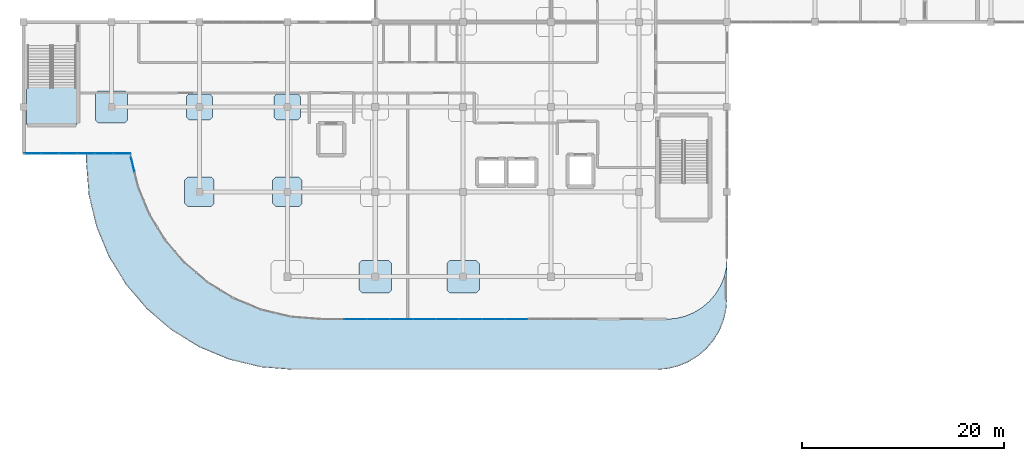
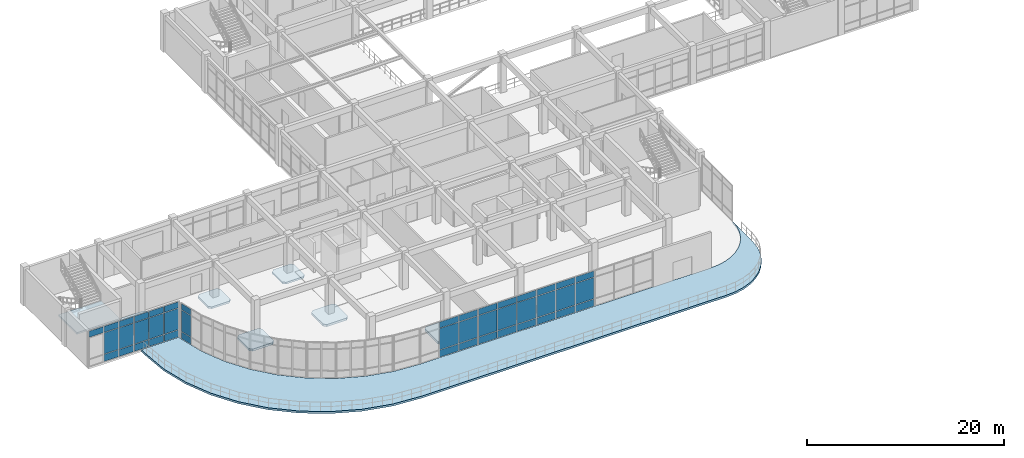
# One storey, part 52 of 76: 43 plates, 9 slabs, 7 elements without a shape of their own.
"""IFC4 building model written with IfcOpenShell, lengths in metres."""

from ifc_helpers import new_model, si_unit, derived_unit, direction, frame, origin, origin_2d, place, context, subcontext, project, spatial, polyline, rectangle, outline, extrude, material, layer, layer_set, type_object, element, aggregate, save


model = new_model("IFC4")

# Units and contexts
model_context = context("Model", 3, precision=1e-05, world=origin(), true_north=direction((0.0, 1.0)))
body_context = subcontext(model_context, "Body", "Model", "MODEL_VIEW")
ifc_project = project(units=[si_unit("LENGTHUNIT", "METRE"), si_unit("AREAUNIT", "SQUARE_METRE"), si_unit("VOLUMEUNIT", "CUBIC_METRE"), si_unit("PLANEANGLEUNIT", "RADIAN"), si_unit("MASSUNIT", "GRAM", prefix="KILO"), derived_unit("THERMALTRANSMITTANCEUNIT", [(si_unit("MASSUNIT", "GRAM", prefix="KILO"), 1), (si_unit("TIMEUNIT", "SECOND"), -3), (si_unit("THERMODYNAMICTEMPERATUREUNIT", "KELVIN"), -1)])], contexts=[model_context])

# Site, building, storey
site_placement = place(None, origin())
site = spatial("IfcSite", under=ifc_project, at=site_placement, CompositionType="ELEMENT")
building_placement = place(site_placement, origin())
building = spatial("IfcBuilding", under=site, at=building_placement, Name="Qinzheling Arcade Emporium", CompositionType="ELEMENT")
storey_placement = place(building_placement, frame((0.0, 0.0, 26.699951171875)))
storey = spatial("IfcBuildingStorey", under=building, at=storey_placement, Name="L06", CompositionType="ELEMENT", Elevation=26.699951171875)

# Slabs
ifc_material_1 = material(Name="Concrete C40", Category="concrete")
ifc_layer_1 = layer(ifc_material_1, 0.235107421875, Name="Concrete C40", Category="concrete")
ifc_layer_set_1 = layer_set([ifc_layer_1], Name="Concrete C40")
slab_type_1 = type_object("IfcSlabType", Name="Column Head Drop Panel 2600x2600x235 C40", PredefinedType="USERDEFINED", material=ifc_layer_set_1)
slab_1_placement = place(storey_placement, frame((0.0, 0.0, -0.514892578125)))
element("IfcSlab", 1, at=slab_1_placement, inside=storey, type_object=slab_type_1, Name="Column Drop Panel DP-L06-3-E", ObjectType="DROP_PANEL", PredefinedType="USERDEFINED", context=body_context, shape_type="SweptSolid", body=[
    extrude(outline(polyline([(16.3798828125, 32.300048828125), (18.419921875, 32.300048828125), (18.699951171875, 32.580078125), (18.699951171875, 34.6201171875), (18.419921875, 34.89990234375), (16.3798828125, 34.89990234375), (16.10009765625, 34.6201171875), (16.10009765625, 32.580078125), (16.3798828125, 32.300048828125)])), origin(), (0.0, 0.0, 1.0), 0.23486328125),
])
slab_2_placement = place(storey_placement, frame((0.0, 0.0, -0.514892578125)))
element("IfcSlab", 2, at=slab_2_placement, inside=storey, type_object=slab_type_1, Name="Column Drop Panel DP-L06-4-E", ObjectType="DROP_PANEL", PredefinedType="USERDEFINED", context=body_context, shape_type="SweptSolid", body=[
    extrude(outline(polyline([(25.080078125, 32.300048828125), (27.1201171875, 32.300048828125), (27.39990234375, 32.580078125), (27.39990234375, 34.6201171875), (27.1201171875, 34.89990234375), (25.080078125, 34.89990234375), (24.800048828125, 34.6201171875), (24.800048828125, 32.580078125), (25.080078125, 32.300048828125)])), origin(), (0.0, 0.0, 1.0), 0.23486328125),
])
ifc_layer_2 = layer(ifc_material_1, 0.27001953125, Name="Concrete C40", Category="concrete")
ifc_layer_set_2 = layer_set([ifc_layer_2], Name="Concrete C40")
slab_type_2 = type_object("IfcSlabType", Name="Column Head Drop Panel 2900x2900x270 C40", PredefinedType="USERDEFINED", material=ifc_layer_set_2)
slab_3_placement = place(storey_placement, frame((0.0, 0.0, -0.550048828125)))
element("IfcSlab", 3, at=slab_3_placement, inside=storey, type_object=slab_type_2, Name="Column Drop Panel DP-L06-3-D", ObjectType="DROP_PANEL", PredefinedType="USERDEFINED", context=body_context, shape_type="SweptSolid", body=[
    extrude(outline(polyline([(16.22998046875, 23.75), (18.570068359375, 23.75), (18.85009765625, 24.030029296875), (18.85009765625, 26.3701171875), (18.570068359375, 26.64990234375), (16.22998046875, 26.64990234375), (15.949951171875, 26.3701171875), (15.949951171875, 24.030029296875), (16.22998046875, 23.75)])), origin(), (0.0, 0.0, 1.0), 0.27001953125),
])
slab_4_placement = place(storey_placement, frame((0.0, 0.0, -0.550048828125)))
element("IfcSlab", 4, at=slab_4_placement, inside=storey, type_object=slab_type_2, Name="Column Drop Panel DP-L06-4-D", ObjectType="DROP_PANEL", PredefinedType="USERDEFINED", context=body_context, shape_type="SweptSolid", body=[
    extrude(outline(polyline([(24.929931640625, 23.75), (27.27001953125, 23.75), (27.550048828125, 24.030029296875), (27.550048828125, 26.3701171875), (27.27001953125, 26.64990234375), (24.929931640625, 26.64990234375), (24.64990234375, 26.3701171875), (24.64990234375, 24.030029296875), (24.929931640625, 23.75)])), origin(), (0.0, 0.0, 1.0), 0.27001953125),
])
ifc_layer_3 = layer(ifc_material_1, 0.300048828125, Name="Concrete C40", Category="concrete")
ifc_layer_set_3 = layer_set([ifc_layer_3], Name="Concrete C40")
slab_type_3 = type_object("IfcSlabType", Name="Column Head Drop Panel 3200x3200x300 C40", PredefinedType="USERDEFINED", material=ifc_layer_set_3)
slab_5_placement = place(storey_placement, frame((0.0, 0.0, -0.579833984375)))
element("IfcSlab", 5, at=slab_5_placement, inside=storey, type_object=slab_type_3, Name="Column Drop Panel DP-L06-2-E", ObjectType="DROP_PANEL", PredefinedType="USERDEFINED", context=body_context, shape_type="SweptSolid", body=[
    extrude(outline(polyline([(7.3798828125, 32.0), (10.02001953125, 32.0), (10.300048828125, 32.280029296875), (10.300048828125, 34.919921875), (10.02001953125, 35.199951171875), (7.3798828125, 35.199951171875), (7.10009765625, 34.919921875), (7.10009765625, 32.280029296875), (7.3798828125, 32.0)])), origin(), (0.0, 0.0, 1.0), 0.2998046875),
])
slab_6_placement = place(storey_placement, frame((0.0, 0.0, -0.579833984375)))
element("IfcSlab", 6, at=slab_6_placement, inside=storey, type_object=slab_type_3, Name="Column Drop Panel DP-L06-5-C", ObjectType="DROP_PANEL", PredefinedType="USERDEFINED", context=body_context, shape_type="SweptSolid", body=[
    extrude(outline(polyline([(33.47998046875, 15.199951171875), (36.1201171875, 15.199951171875), (36.39990234375, 15.47998046875), (36.39990234375, 18.1201171875), (36.1201171875, 18.39990234375), (33.47998046875, 18.39990234375), (33.199951171875, 18.1201171875), (33.199951171875, 15.47998046875), (33.47998046875, 15.199951171875)])), origin(), (0.0, 0.0, 1.0), 0.2998046875),
])
slab_7_placement = place(storey_placement, frame((0.0, 0.0, -0.579833984375)))
element("IfcSlab", 7, at=slab_7_placement, inside=storey, type_object=slab_type_3, Name="Column Drop Panel DP-L06-6-C", ObjectType="DROP_PANEL", PredefinedType="USERDEFINED", context=body_context, shape_type="SweptSolid", body=[
    extrude(outline(polyline([(42.179931640625, 15.199951171875), (44.820068359375, 15.199951171875), (45.10009765625, 15.47998046875), (45.10009765625, 18.1201171875), (44.820068359375, 18.39990234375), (42.179931640625, 18.39990234375), (41.89990234375, 18.1201171875), (41.89990234375, 15.47998046875), (42.179931640625, 15.199951171875)])), origin(), (0.0, 0.0, 1.0), 0.2998046875),
])

# Curtain wall, plates
ifc_material_2 = material(Name="Anodised aluminium and solar-control double glazing", Category="aluminium")
ifc_layer_4 = layer(ifc_material_2, 0.159912109375, Name="Anodised aluminium and solar-control double glazing", Category="aluminium")
ifc_layer_set_4 = layer_set([ifc_layer_4], Name="Anodised aluminium and solar-control double glazing")
curtain_wall_type_1 = type_object("IfcCurtainWallType", Name="Arcade Portal Glazed Curtain Wall", PredefinedType="NOTDEFINED", material=ifc_layer_set_4)
curtain_wall_1_placement = place(storey_placement, origin())
curtain_wall_1 = element("IfcCurtainWall", 8, at=curtain_wall_1_placement, inside=storey, type_object=curtain_wall_type_1, Name="Curtain Wall CW-L06-347", PredefinedType="NOTDEFINED")
ifc_material_3 = material(Name="Laminated solar-control double glazing", Category="glass")
ifc_layer_5 = layer(ifc_material_3, 0.02099609375, Name="Laminated solar-control double glazing", Category="glass")
ifc_layer_set_5 = layer_set([ifc_layer_5], Name="Laminated solar-control double glazing")
plate_type_1 = type_object("IfcPlateType", Name="Low-E Double Glazed Curtain Panel 21mm", PredefinedType="CURTAIN_PANEL", material=ifc_layer_set_5)
plate_1_placement = place(storey_placement, frame((48.763671875, 12.60009765625, 0.06005859375), z_axis=(0.0, 0.0, 1.0), x_axis=(-1.0, 0.0, 0.0)))
plate_1 = element("IfcPlate", 9, at=plate_1_placement, type_object=plate_type_1, Name="CW05 panel 1.1", PredefinedType="CURTAIN_PANEL", context=body_context, shape_type="SweptSolid", body=[
    extrude(rectangle(XDim=2.188720703125, YDim=0.02099609375, at=origin_2d()), origin(), (0.0, 0.0, 1.0), 0.860107421875),
])
plate_2_placement = place(storey_placement, frame((48.763671875, 12.60009765625, 0.980224609375), z_axis=(0.0, 0.0, 1.0), x_axis=(-1.0, 0.0, 0.0)))
plate_2 = element("IfcPlate", 10, at=plate_2_placement, type_object=plate_type_1, Name="CW05 panel 1.2", PredefinedType="CURTAIN_PANEL", context=body_context, shape_type="SweptSolid", body=[
    extrude(rectangle(XDim=2.188720703125, YDim=0.02099609375, at=origin_2d()), origin(), (0.0, 0.0, 1.0), 2.6298828125),
])
plate_3_placement = place(storey_placement, frame((48.763671875, 12.60009765625, 3.669921875), z_axis=(0.0, 0.0, 1.0), x_axis=(-1.0, 0.0, 0.0)))
plate_3 = element("IfcPlate", 11, at=plate_3_placement, type_object=plate_type_1, Name="CW05 panel 1.3", PredefinedType="CURTAIN_PANEL", context=body_context, shape_type="SweptSolid", body=[
    extrude(rectangle(XDim=2.188720703125, YDim=0.02099609375, at=origin_2d()), origin(), (0.0, 0.0, 1.0), 0.760009765625),
])
plate_4_placement = place(storey_placement, frame((46.5, 12.60009765625, 0.06005859375), z_axis=(0.0, 0.0, 1.0), x_axis=(-1.0, 0.0, 0.0)))
plate_4 = element("IfcPlate", 12, at=plate_4_placement, type_object=plate_type_1, Name="CW05 panel 2.1", PredefinedType="CURTAIN_PANEL", context=body_context, shape_type="SweptSolid", body=[
    extrude(rectangle(XDim=2.21875, YDim=0.02099609375, at=origin_2d()), origin(), (0.0, 0.0, 1.0), 0.860107421875),
])
plate_5_placement = place(storey_placement, frame((46.5, 12.60009765625, 0.980224609375), z_axis=(0.0, 0.0, 1.0), x_axis=(-1.0, 0.0, 0.0)))
plate_5 = element("IfcPlate", 13, at=plate_5_placement, type_object=plate_type_1, Name="CW05 panel 2.2", PredefinedType="CURTAIN_PANEL", context=body_context, shape_type="SweptSolid", body=[
    extrude(rectangle(XDim=2.21875, YDim=0.02099609375, at=origin_2d()), origin(), (0.0, 0.0, 1.0), 2.6298828125),
])
plate_6_placement = place(storey_placement, frame((46.5, 12.60009765625, 3.669921875), z_axis=(0.0, 0.0, 1.0), x_axis=(-1.0, 0.0, 0.0)))
plate_6 = element("IfcPlate", 14, at=plate_6_placement, type_object=plate_type_1, Name="CW05 panel 2.3", PredefinedType="CURTAIN_PANEL", context=body_context, shape_type="SweptSolid", body=[
    extrude(rectangle(XDim=2.21875, YDim=0.02099609375, at=origin_2d()), origin(), (0.0, 0.0, 1.0), 0.760009765625),
])
plate_7_placement = place(storey_placement, frame((44.236328125, 12.60009765625, 0.06005859375), z_axis=(0.0, 0.0, 1.0), x_axis=(-1.0, 0.0, 0.0)))
plate_7 = element("IfcPlate", 15, at=plate_7_placement, type_object=plate_type_1, Name="CW05 panel 3.1", PredefinedType="CURTAIN_PANEL", context=body_context, shape_type="SweptSolid", body=[
    extrude(rectangle(XDim=2.188720703125, YDim=0.02099609375, at=origin_2d()), origin(), (0.0, 0.0, 1.0), 0.860107421875),
])
plate_8_placement = place(storey_placement, frame((44.236328125, 12.60009765625, 0.980224609375), z_axis=(0.0, 0.0, 1.0), x_axis=(-1.0, 0.0, 0.0)))
plate_8 = element("IfcPlate", 16, at=plate_8_placement, type_object=plate_type_1, Name="CW05 panel 3.2", PredefinedType="CURTAIN_PANEL", context=body_context, shape_type="SweptSolid", body=[
    extrude(rectangle(XDim=2.188720703125, YDim=0.02099609375, at=origin_2d()), origin(), (0.0, 0.0, 1.0), 2.6298828125),
])
plate_9_placement = place(storey_placement, frame((44.236328125, 12.60009765625, 3.669921875), z_axis=(0.0, 0.0, 1.0), x_axis=(-1.0, 0.0, 0.0)))
plate_9 = element("IfcPlate", 17, at=plate_9_placement, type_object=plate_type_1, Name="CW05 panel 3.3", PredefinedType="CURTAIN_PANEL", context=body_context, shape_type="SweptSolid", body=[
    extrude(rectangle(XDim=2.188720703125, YDim=0.02099609375, at=origin_2d()), origin(), (0.0, 0.0, 1.0), 0.760009765625),
])
aggregate(curtain_wall_1, [plate_1, plate_2, plate_3, plate_4, plate_5, plate_6, plate_7, plate_8, plate_9])

curtain_wall_2_placement = place(storey_placement, origin())
curtain_wall_2 = element("IfcCurtainWall", 18, at=curtain_wall_2_placement, inside=storey, type_object=curtain_wall_type_1, Name="Curtain Wall CW-L06-348", PredefinedType="NOTDEFINED")
ifc_layer_6 = layer(ifc_material_3, 0.02197265625, Name="Laminated solar-control double glazing", Category="glass")
ifc_layer_set_6 = layer_set([ifc_layer_6], Name="Laminated solar-control double glazing")
plate_type_2 = type_object("IfcPlateType", Name="Low-E Double Glazed Curtain Panel 22mm", PredefinedType="CURTAIN_PANEL", material=ifc_layer_set_6)
plate_10_placement = place(storey_placement, frame((41.923583984375, 12.60009765625, 0.06005859375), z_axis=(0.0, 0.0, 1.0), x_axis=(-1.0, 0.0, 0.0)))
plate_10 = element("IfcPlate", 19, at=plate_10_placement, type_object=plate_type_2, Name="CW05 panel 1.1", PredefinedType="CURTAIN_PANEL", context=body_context, shape_type="SweptSolid", body=[
    extrude(rectangle(XDim=2.188720703125, YDim=0.02197265625, at=origin_2d()), origin(), (0.0, 0.0, 1.0), 0.860107421875),
])
plate_11_placement = place(storey_placement, frame((41.923583984375, 12.60009765625, 0.980224609375), z_axis=(0.0, 0.0, 1.0), x_axis=(-1.0, 0.0, 0.0)))
plate_11 = element("IfcPlate", 20, at=plate_11_placement, type_object=plate_type_2, Name="CW05 panel 1.2", PredefinedType="CURTAIN_PANEL", context=body_context, shape_type="SweptSolid", body=[
    extrude(rectangle(XDim=2.188720703125, YDim=0.02197265625, at=origin_2d()), origin(), (0.0, 0.0, 1.0), 2.6298828125),
])
plate_12_placement = place(storey_placement, frame((41.923583984375, 12.60009765625, 3.669921875), z_axis=(0.0, 0.0, 1.0), x_axis=(-1.0, 0.0, 0.0)))
plate_12 = element("IfcPlate", 21, at=plate_12_placement, type_object=plate_type_2, Name="CW05 panel 1.3", PredefinedType="CURTAIN_PANEL", context=body_context, shape_type="SweptSolid", body=[
    extrude(rectangle(XDim=2.188720703125, YDim=0.02197265625, at=origin_2d()), origin(), (0.0, 0.0, 1.0), 0.760009765625),
])
plate_13_placement = place(storey_placement, frame((39.659912109375, 12.60009765625, 0.06005859375), z_axis=(0.0, 0.0, 1.0), x_axis=(-1.0, 0.0, 0.0)))
plate_13 = element("IfcPlate", 22, at=plate_13_placement, type_object=plate_type_2, Name="CW05 panel 2.1", PredefinedType="CURTAIN_PANEL", context=body_context, shape_type="SweptSolid", body=[
    extrude(rectangle(XDim=2.21875, YDim=0.02197265625, at=origin_2d()), origin(), (0.0, 0.0, 1.0), 0.860107421875),
])
plate_14_placement = place(storey_placement, frame((39.659912109375, 12.60009765625, 0.980224609375), z_axis=(0.0, 0.0, 1.0), x_axis=(-1.0, 0.0, 0.0)))
plate_14 = element("IfcPlate", 23, at=plate_14_placement, type_object=plate_type_2, Name="CW05 panel 2.2", PredefinedType="CURTAIN_PANEL", context=body_context, shape_type="SweptSolid", body=[
    extrude(rectangle(XDim=2.21875, YDim=0.02197265625, at=origin_2d()), origin(), (0.0, 0.0, 1.0), 2.6298828125),
])
plate_15_placement = place(storey_placement, frame((39.659912109375, 12.60009765625, 3.669921875), z_axis=(0.0, 0.0, 1.0), x_axis=(-1.0, 0.0, 0.0)))
plate_15 = element("IfcPlate", 24, at=plate_15_placement, type_object=plate_type_2, Name="CW05 panel 2.3", PredefinedType="CURTAIN_PANEL", context=body_context, shape_type="SweptSolid", body=[
    extrude(rectangle(XDim=2.21875, YDim=0.02197265625, at=origin_2d()), origin(), (0.0, 0.0, 1.0), 0.760009765625),
])
plate_16_placement = place(storey_placement, frame((37.396240234375, 12.60009765625, 0.06005859375), z_axis=(0.0, 0.0, 1.0), x_axis=(-1.0, 0.0, 0.0)))
plate_16 = element("IfcPlate", 25, at=plate_16_placement, type_object=plate_type_2, Name="CW05 panel 3.1", PredefinedType="CURTAIN_PANEL", context=body_context, shape_type="SweptSolid", body=[
    extrude(rectangle(XDim=2.188720703125, YDim=0.02197265625, at=origin_2d()), origin(), (0.0, 0.0, 1.0), 0.860107421875),
])
plate_17_placement = place(storey_placement, frame((37.396240234375, 12.60009765625, 0.980224609375), z_axis=(0.0, 0.0, 1.0), x_axis=(-1.0, 0.0, 0.0)))
plate_17 = element("IfcPlate", 26, at=plate_17_placement, type_object=plate_type_2, Name="CW05 panel 3.2", PredefinedType="CURTAIN_PANEL", context=body_context, shape_type="SweptSolid", body=[
    extrude(rectangle(XDim=2.188720703125, YDim=0.02197265625, at=origin_2d()), origin(), (0.0, 0.0, 1.0), 2.6298828125),
])
plate_18_placement = place(storey_placement, frame((37.396240234375, 12.60009765625, 3.669921875), z_axis=(0.0, 0.0, 1.0), x_axis=(-1.0, 0.0, 0.0)))
plate_18 = element("IfcPlate", 27, at=plate_18_placement, type_object=plate_type_2, Name="CW05 panel 3.3", PredefinedType="CURTAIN_PANEL", context=body_context, shape_type="SweptSolid", body=[
    extrude(rectangle(XDim=2.188720703125, YDim=0.02197265625, at=origin_2d()), origin(), (0.0, 0.0, 1.0), 0.760009765625),
])
aggregate(curtain_wall_2, [plate_10, plate_11, plate_12, plate_13, plate_14, plate_15, plate_16, plate_17, plate_18])

curtain_wall_3_placement = place(storey_placement, origin())
curtain_wall_3 = element("IfcCurtainWall", 28, at=curtain_wall_3_placement, inside=storey, type_object=curtain_wall_type_1, Name="Curtain Wall CW-L06-349", PredefinedType="NOTDEFINED")
ifc_layer_7 = layer(ifc_material_3, 0.02392578125, Name="Laminated solar-control double glazing", Category="glass")
ifc_layer_set_7 = layer_set([ifc_layer_7], Name="Laminated solar-control double glazing")
plate_type_3 = type_object("IfcPlateType", Name="Low-E Double Glazed Curtain Panel 24mm", PredefinedType="CURTAIN_PANEL", material=ifc_layer_set_7)
plate_19_placement = place(storey_placement, frame((35.083251953125, 12.60009765625, 0.06005859375), z_axis=(0.0, 0.0, 1.0), x_axis=(-1.0, 0.0, 0.0)))
plate_19 = element("IfcPlate", 29, at=plate_19_placement, type_object=plate_type_3, Name="CW05 panel 1.1", PredefinedType="CURTAIN_PANEL", context=body_context, shape_type="SweptSolid", body=[
    extrude(rectangle(XDim=2.189453125, YDim=0.02392578125, at=origin_2d()), origin(), (0.0, 0.0, 1.0), 0.860107421875),
])
plate_20_placement = place(storey_placement, frame((35.083251953125, 12.60009765625, 0.980224609375), z_axis=(0.0, 0.0, 1.0), x_axis=(-1.0, 0.0, 0.0)))
plate_20 = element("IfcPlate", 30, at=plate_20_placement, type_object=plate_type_3, Name="CW05 panel 1.2", PredefinedType="CURTAIN_PANEL", context=body_context, shape_type="SweptSolid", body=[
    extrude(rectangle(XDim=2.189453125, YDim=0.02392578125, at=origin_2d()), origin(), (0.0, 0.0, 1.0), 2.6298828125),
])
plate_21_placement = place(storey_placement, frame((35.083251953125, 12.60009765625, 3.669921875), z_axis=(0.0, 0.0, 1.0), x_axis=(-1.0, 0.0, 0.0)))
plate_21 = element("IfcPlate", 31, at=plate_21_placement, type_object=plate_type_3, Name="CW05 panel 1.3", PredefinedType="CURTAIN_PANEL", context=body_context, shape_type="SweptSolid", body=[
    extrude(rectangle(XDim=2.189453125, YDim=0.02392578125, at=origin_2d()), origin(), (0.0, 0.0, 1.0), 0.760009765625),
])
plate_22_placement = place(storey_placement, frame((32.819091796875, 12.60009765625, 0.06005859375), z_axis=(0.0, 0.0, 1.0), x_axis=(-1.0, 0.0, 0.0)))
plate_22 = element("IfcPlate", 32, at=plate_22_placement, type_object=plate_type_3, Name="CW05 panel 2.1", PredefinedType="CURTAIN_PANEL", context=body_context, shape_type="SweptSolid", body=[
    extrude(rectangle(XDim=2.21923828125, YDim=0.02392578125, at=origin_2d()), origin(), (0.0, 0.0, 1.0), 0.860107421875),
])
plate_23_placement = place(storey_placement, frame((32.819091796875, 12.60009765625, 0.980224609375), z_axis=(0.0, 0.0, 1.0), x_axis=(-1.0, 0.0, 0.0)))
plate_23 = element("IfcPlate", 33, at=plate_23_placement, type_object=plate_type_3, Name="CW05 panel 2.2", PredefinedType="CURTAIN_PANEL", context=body_context, shape_type="SweptSolid", body=[
    extrude(rectangle(XDim=2.21923828125, YDim=0.02392578125, at=origin_2d()), origin(), (0.0, 0.0, 1.0), 2.6298828125),
])
plate_24_placement = place(storey_placement, frame((32.819091796875, 12.60009765625, 3.669921875), z_axis=(0.0, 0.0, 1.0), x_axis=(-1.0, 0.0, 0.0)))
plate_24 = element("IfcPlate", 34, at=plate_24_placement, type_object=plate_type_3, Name="CW05 panel 2.3", PredefinedType="CURTAIN_PANEL", context=body_context, shape_type="SweptSolid", body=[
    extrude(rectangle(XDim=2.21923828125, YDim=0.02392578125, at=origin_2d()), origin(), (0.0, 0.0, 1.0), 0.760009765625),
])
aggregate(curtain_wall_3, [plate_19, plate_20, plate_21, plate_22, plate_23, plate_24])

ifc_layer_8 = layer(ifc_material_2, 0.159912109375, Name="Anodised aluminium and solar-control double glazing", Category="aluminium")
ifc_layer_set_8 = layer_set([ifc_layer_8], Name="Anodised aluminium and solar-control double glazing")
curtain_wall_type_2 = type_object("IfcCurtainWallType", Name="Curved Ribbon Sales Curtain Wall", PredefinedType="NOTDEFINED", material=ifc_layer_set_8)
curtain_wall_4_placement = place(storey_placement, origin())
curtain_wall_4 = element("IfcCurtainWall", 35, at=curtain_wall_4_placement, inside=storey, type_object=curtain_wall_type_2, Name="Curtain Wall CW-L06-358", PredefinedType="NOTDEFINED")
ifc_layer_9 = layer(ifc_material_3, 0.033935546875, Name="Laminated solar-control double glazing", Category="glass")
ifc_layer_set_9 = layer_set([ifc_layer_9], Name="Laminated solar-control double glazing")
plate_type_4 = type_object("IfcPlateType", Name="Low-E Double Glazed Curtain Panel 34mm", PredefinedType="CURTAIN_PANEL", material=ifc_layer_set_9)
plate_25_placement = place(storey_placement, frame((10.8115234375, 27.888671875, 0.06005859375), z_axis=(0.0, 0.0, 1.0), x_axis=(-0.233449067193, 0.972369031298, 0.0)))
plate_25 = element("IfcPlate", 36, at=plate_25_placement, type_object=plate_type_4, Name="CW02 panel 2.1", PredefinedType="CURTAIN_PANEL", context=body_context, shape_type="SweptSolid", body=[
    extrude(rectangle(XDim=1.400634765625, YDim=0.033935546875, at=origin_2d()), origin(), (0.0, 0.0, 1.0), 0.860107421875),
])
plate_26_placement = place(storey_placement, frame((10.8115234375, 27.888671875, 0.980224609375), z_axis=(0.0, 0.0, 1.0), x_axis=(-0.233449067193, 0.972369031298, 0.0)))
plate_26 = element("IfcPlate", 37, at=plate_26_placement, type_object=plate_type_4, Name="CW02 panel 2.2", PredefinedType="CURTAIN_PANEL", context=body_context, shape_type="SweptSolid", body=[
    extrude(rectangle(XDim=1.400634765625, YDim=0.033935546875, at=origin_2d()), origin(), (0.0, 0.0, 1.0), 2.6298828125),
])
plate_27_placement = place(storey_placement, frame((10.8115234375, 27.888671875, 3.669921875), z_axis=(0.0, 0.0, 1.0), x_axis=(-0.233449067193, 0.972369031298, 0.0)))
plate_27 = element("IfcPlate", 38, at=plate_27_placement, type_object=plate_type_4, Name="CW02 panel 2.3", PredefinedType="CURTAIN_PANEL", context=body_context, shape_type="SweptSolid", body=[
    extrude(rectangle(XDim=1.400634765625, YDim=0.033935546875, at=origin_2d()), origin(), (0.0, 0.0, 1.0), 0.760009765625),
])
aggregate(curtain_wall_4, [plate_25, plate_26, plate_27])

curtain_wall_5_placement = place(storey_placement, origin())
curtain_wall_5 = element("IfcCurtainWall", 39, at=curtain_wall_5_placement, inside=storey, type_object=curtain_wall_type_1, Name="Curtain Wall CW-L06-359", PredefinedType="NOTDEFINED")
ifc_layer_10 = layer(ifc_material_3, 0.035888671875, Name="Laminated solar-control double glazing", Category="glass")
ifc_layer_set_10 = layer_set([ifc_layer_10], Name="Laminated solar-control double glazing")
plate_type_5 = type_object("IfcPlateType", Name="Low-E Double Glazed Curtain Panel 36mm", PredefinedType="CURTAIN_PANEL", material=ifc_layer_set_10)
plate_28_placement = place(storey_placement, frame((9.70654296875, 29.0, 0.06005859375), z_axis=(0.0, 0.0, 1.0), x_axis=(-1.0, 0.0, 0.0)))
plate_28 = element("IfcPlate", 40, at=plate_28_placement, type_object=plate_type_5, Name="CW05 panel 1.1", PredefinedType="CURTAIN_PANEL", context=body_context, shape_type="SweptSolid", body=[
    extrude(rectangle(XDim=1.677001953125, YDim=0.035888671875, at=origin_2d()), origin(), (0.0, 0.0, 1.0), 0.860107421875),
])
plate_29_placement = place(storey_placement, frame((9.70654296875, 29.0, 0.980224609375), z_axis=(0.0, 0.0, 1.0), x_axis=(-1.0, 0.0, 0.0)))
plate_29 = element("IfcPlate", 41, at=plate_29_placement, type_object=plate_type_5, Name="CW05 panel 1.2", PredefinedType="CURTAIN_PANEL", context=body_context, shape_type="SweptSolid", body=[
    extrude(rectangle(XDim=1.677001953125, YDim=0.035888671875, at=origin_2d()), origin(), (0.0, 0.0, 1.0), 2.6298828125),
])
plate_30_placement = place(storey_placement, frame((9.70654296875, 29.0, 3.669921875), z_axis=(0.0, 0.0, 1.0), x_axis=(-1.0, 0.0, 0.0)))
plate_30 = element("IfcPlate", 42, at=plate_30_placement, type_object=plate_type_5, Name="CW05 panel 1.3", PredefinedType="CURTAIN_PANEL", context=body_context, shape_type="SweptSolid", body=[
    extrude(rectangle(XDim=1.677001953125, YDim=0.035888671875, at=origin_2d()), origin(), (0.0, 0.0, 1.0), 0.760009765625),
])
plate_31_placement = place(storey_placement, frame((7.95458984375, 29.0, 0.06005859375), z_axis=(0.0, 0.0, 1.0), x_axis=(-1.0, 0.0, 0.0)))
plate_31 = element("IfcPlate", 43, at=plate_31_placement, type_object=plate_type_5, Name="CW05 panel 2.1", PredefinedType="CURTAIN_PANEL", context=body_context, shape_type="SweptSolid", body=[
    extrude(rectangle(XDim=1.70703125, YDim=0.035888671875, at=origin_2d()), origin(), (0.0, 0.0, 1.0), 0.860107421875),
])
plate_32_placement = place(storey_placement, frame((7.95458984375, 29.0, 0.980224609375), z_axis=(0.0, 0.0, 1.0), x_axis=(-1.0, 0.0, 0.0)))
plate_32 = element("IfcPlate", 44, at=plate_32_placement, type_object=plate_type_5, Name="CW05 panel 2.2", PredefinedType="CURTAIN_PANEL", context=body_context, shape_type="SweptSolid", body=[
    extrude(rectangle(XDim=1.70703125, YDim=0.035888671875, at=origin_2d()), origin(), (0.0, 0.0, 1.0), 2.6298828125),
])
plate_33_placement = place(storey_placement, frame((7.95458984375, 29.0, 3.669921875), z_axis=(0.0, 0.0, 1.0), x_axis=(-1.0, 0.0, 0.0)))
plate_33 = element("IfcPlate", 45, at=plate_33_placement, type_object=plate_type_5, Name="CW05 panel 2.3", PredefinedType="CURTAIN_PANEL", context=body_context, shape_type="SweptSolid", body=[
    extrude(rectangle(XDim=1.70703125, YDim=0.035888671875, at=origin_2d()), origin(), (0.0, 0.0, 1.0), 0.760009765625),
])
plate_34_placement = place(storey_placement, frame((6.202392578125, 29.0, 0.06005859375), z_axis=(0.0, 0.0, 1.0), x_axis=(-1.0, 0.0, 0.0)))
plate_34 = element("IfcPlate", 46, at=plate_34_placement, type_object=plate_type_5, Name="CW05 panel 3.1", PredefinedType="CURTAIN_PANEL", context=body_context, shape_type="SweptSolid", body=[
    extrude(rectangle(XDim=1.677001953125, YDim=0.035888671875, at=origin_2d()), origin(), (0.0, 0.0, 1.0), 0.860107421875),
])
plate_35_placement = place(storey_placement, frame((6.202392578125, 29.0, 0.980224609375), z_axis=(0.0, 0.0, 1.0), x_axis=(-1.0, 0.0, 0.0)))
plate_35 = element("IfcPlate", 47, at=plate_35_placement, type_object=plate_type_5, Name="CW05 panel 3.2", PredefinedType="CURTAIN_PANEL", context=body_context, shape_type="SweptSolid", body=[
    extrude(rectangle(XDim=1.677001953125, YDim=0.035888671875, at=origin_2d()), origin(), (0.0, 0.0, 1.0), 2.6298828125),
])
plate_36_placement = place(storey_placement, frame((6.202392578125, 29.0, 3.669921875), z_axis=(0.0, 0.0, 1.0), x_axis=(-1.0, 0.0, 0.0)))
plate_36 = element("IfcPlate", 48, at=plate_36_placement, type_object=plate_type_5, Name="CW05 panel 3.3", PredefinedType="CURTAIN_PANEL", context=body_context, shape_type="SweptSolid", body=[
    extrude(rectangle(XDim=1.677001953125, YDim=0.035888671875, at=origin_2d()), origin(), (0.0, 0.0, 1.0), 0.760009765625),
])
aggregate(curtain_wall_5, [plate_28, plate_29, plate_30, plate_31, plate_32, plate_33, plate_34, plate_35, plate_36])

curtain_wall_6_placement = place(storey_placement, origin())
curtain_wall_6 = element("IfcCurtainWall", 49, at=curtain_wall_6_placement, inside=storey, type_object=curtain_wall_type_1, Name="Curtain Wall CW-L06-360", PredefinedType="NOTDEFINED")
ifc_layer_11 = layer(ifc_material_3, 0.0380859375, Name="Laminated solar-control double glazing", Category="glass")
ifc_layer_set_11 = layer_set([ifc_layer_11], Name="Laminated solar-control double glazing")
plate_type_6 = type_object("IfcPlateType", Name="Low-E Double Glazed Curtain Panel 38mm", PredefinedType="CURTAIN_PANEL", material=ifc_layer_set_11)
plate_37_placement = place(storey_placement, frame((4.402587890625, 29.0, 0.06005859375), z_axis=(0.0, 0.0, 1.0), x_axis=(-1.0, 0.0, 0.0)))
plate_37 = element("IfcPlate", 50, at=plate_37_placement, type_object=plate_type_6, Name="CW05 panel 1.1", PredefinedType="CURTAIN_PANEL", context=body_context, shape_type="SweptSolid", body=[
    extrude(rectangle(XDim=1.677001953125, YDim=0.0380859375, at=origin_2d()), origin(), (0.0, 0.0, 1.0), 0.860107421875),
])
plate_38_placement = place(storey_placement, frame((4.402587890625, 29.0, 0.980224609375), z_axis=(0.0, 0.0, 1.0), x_axis=(-1.0, 0.0, 0.0)))
plate_38 = element("IfcPlate", 51, at=plate_38_placement, type_object=plate_type_6, Name="CW05 panel 1.2", PredefinedType="CURTAIN_PANEL", context=body_context, shape_type="SweptSolid", body=[
    extrude(rectangle(XDim=1.677001953125, YDim=0.0380859375, at=origin_2d()), origin(), (0.0, 0.0, 1.0), 2.6298828125),
])
plate_39_placement = place(storey_placement, frame((4.402587890625, 29.0, 3.669921875), z_axis=(0.0, 0.0, 1.0), x_axis=(-1.0, 0.0, 0.0)))
plate_39 = element("IfcPlate", 52, at=plate_39_placement, type_object=plate_type_6, Name="CW05 panel 1.3", PredefinedType="CURTAIN_PANEL", context=body_context, shape_type="SweptSolid", body=[
    extrude(rectangle(XDim=1.677001953125, YDim=0.0380859375, at=origin_2d()), origin(), (0.0, 0.0, 1.0), 0.760009765625),
])
plate_40_placement = place(storey_placement, frame((2.650390625, 29.0, 0.06005859375), z_axis=(0.0, 0.0, 1.0), x_axis=(-1.0, 0.0, 0.0)))
plate_40 = element("IfcPlate", 53, at=plate_40_placement, type_object=plate_type_6, Name="CW05 panel 2.1", PredefinedType="CURTAIN_PANEL", context=body_context, shape_type="SweptSolid", body=[
    extrude(rectangle(XDim=1.70703125, YDim=0.0380859375, at=origin_2d()), origin(), (0.0, 0.0, 1.0), 0.860107421875),
])
plate_41_placement = place(storey_placement, frame((2.650390625, 29.0, 0.980224609375), z_axis=(0.0, 0.0, 1.0), x_axis=(-1.0, 0.0, 0.0)))
plate_41 = element("IfcPlate", 54, at=plate_41_placement, type_object=plate_type_6, Name="CW05 panel 2.2", PredefinedType="CURTAIN_PANEL", context=body_context, shape_type="SweptSolid", body=[
    extrude(rectangle(XDim=1.70703125, YDim=0.0380859375, at=origin_2d()), origin(), (0.0, 0.0, 1.0), 2.6298828125),
])
plate_42_placement = place(storey_placement, frame((2.650390625, 29.0, 3.669921875), z_axis=(0.0, 0.0, 1.0), x_axis=(-1.0, 0.0, 0.0)))
plate_42 = element("IfcPlate", 55, at=plate_42_placement, type_object=plate_type_6, Name="CW05 panel 2.3", PredefinedType="CURTAIN_PANEL", context=body_context, shape_type="SweptSolid", body=[
    extrude(rectangle(XDim=1.70703125, YDim=0.0380859375, at=origin_2d()), origin(), (0.0, 0.0, 1.0), 0.760009765625),
])
plate_43_placement = place(storey_placement, frame((0.8984375, 29.0, 3.669921875), z_axis=(0.0, 0.0, 1.0), x_axis=(-1.0, 0.0, 0.0)))
plate_43 = element("IfcPlate", 56, at=plate_43_placement, type_object=plate_type_6, Name="CW05 panel 3.3", PredefinedType="CURTAIN_PANEL", context=body_context, shape_type="SweptSolid", body=[
    extrude(rectangle(XDim=1.677001953125, YDim=0.0380859375, at=origin_2d()), origin(), (0.0, 0.0, 1.0), 0.760009765625),
])
aggregate(curtain_wall_6, [plate_37, plate_38, plate_39, plate_40, plate_41, plate_42, plate_43])

# Slab
ifc_layer_12 = layer(ifc_material_1, 0.25, Name="Concrete C40", Category="concrete")
ifc_layer_set_12 = layer_set([ifc_layer_12], Name="Concrete C40")
slab_type_4 = type_object("IfcSlabType", Name="Outdoor Dining Terrace Slab 250 C40", PredefinedType="FLOOR", material=ifc_layer_set_12)
slab_8_placement = place(storey_placement, frame((0.0, 0.0, -0.25)))
element("IfcSlab", 57, at=slab_8_placement, inside=storey, type_object=slab_type_4, Name="Outdoor Terrace SLB-TR-V1-L06", PredefinedType="FLOOR", context=body_context, shape_type="SweptSolid", body=[
    extrude(outline(polyline([(69.60009765625, 14.60009765625), (69.60009765625, 18.60009765625), (69.52587890625, 17.660888671875), (69.305908203125, 16.74609375), (68.946044921875, 15.8759765625), (68.4541015625, 15.072998046875), (67.843017578125, 14.35693359375), (67.126953125, 13.74609375), (66.323974609375, 13.25390625), (65.4541015625, 12.89404296875), (64.5390625, 12.674072265625), (63.60009765625, 12.60009765625), (29.39990234375, 12.60009765625), (26.427978515625, 12.833984375), (23.529052734375, 13.530029296875), (20.77392578125, 14.6708984375), (18.23193359375, 16.22900390625), (15.965087890625, 18.1650390625), (14.029052734375, 20.431884765625), (12.470947265625, 22.97412109375), (11.330078125, 25.72900390625), (10.634033203125, 28.6279296875), (10.60498046875, 29.0), (6.199951171875, 29.0), (6.199951171875, 28.10009765625), (6.451904296875, 24.89306640625), (7.202880859375, 21.764892578125), (8.43408203125, 18.79296875), (10.114990234375, 16.050048828125), (12.2041015625, 13.60400390625), (14.64990234375, 11.514892578125), (17.39306640625, 9.833984375), (20.364990234375, 8.60302734375), (23.492919921875, 7.85205078125), (26.699951171875, 7.60009765625), (62.60009765625, 7.60009765625), (63.695068359375, 7.68603515625), (64.762939453125, 7.943115234375), (65.778076171875, 8.363037109375), (66.714111328125, 8.93701171875), (67.550048828125, 9.64990234375), (68.262939453125, 10.486083984375), (68.8369140625, 11.422119140625), (69.257080078125, 12.43701171875), (69.513916015625, 13.5048828125), (69.60009765625, 14.60009765625)])), origin(), (0.0, 0.0, 1.0), 0.25),
])

# Stair, slab
stair_type = type_object("IfcStairType", Name="Cast-in-Situ Dog-Leg Escape Stair H4800", PredefinedType="HALF_TURN_STAIR", material=ifc_material_1)
stair_placement = place(storey_placement, origin())
stair = element("IfcStair", 58, at=stair_placement, inside=storey, type_object=stair_type, Name="L06 ST02", PredefinedType="HALF_TURN_STAIR")
ifc_layer_13 = layer(ifc_material_1, 0.199951171875, Name="Concrete C40", Category="concrete")
ifc_layer_set_13 = layer_set([ifc_layer_13], Name="Concrete C40")
slab_type_5 = type_object("IfcSlabType", Name="Stair Half-Turn Landing Slab 200 C40", PredefinedType="LANDING", material=ifc_layer_set_13)
slab_9_placement = place(storey_placement, frame((0.0, 0.0, 2.199951171875)))
slab_9 = element("IfcSlab", 59, at=slab_9_placement, type_object=slab_type_5, Name="ST02 landing 1", PredefinedType="LANDING", context=body_context, shape_type="SweptSolid", body=[
    extrude(outline(polyline([(0.280029296875, 35.60009765625), (5.31005859375, 35.60009765625), (5.31005859375, 31.8798828125), (0.280029296875, 31.8798828125), (0.280029296875, 35.60009765625)])), origin(), (0.0, 0.0, 1.0), 0.2001953125),
])
aggregate(stair, [slab_9])

save(model, "model.ifc")
